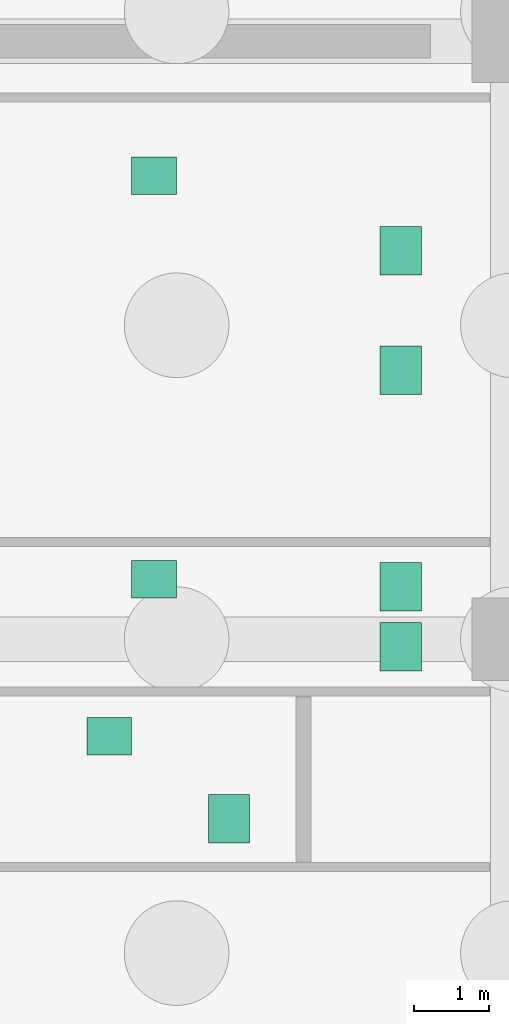
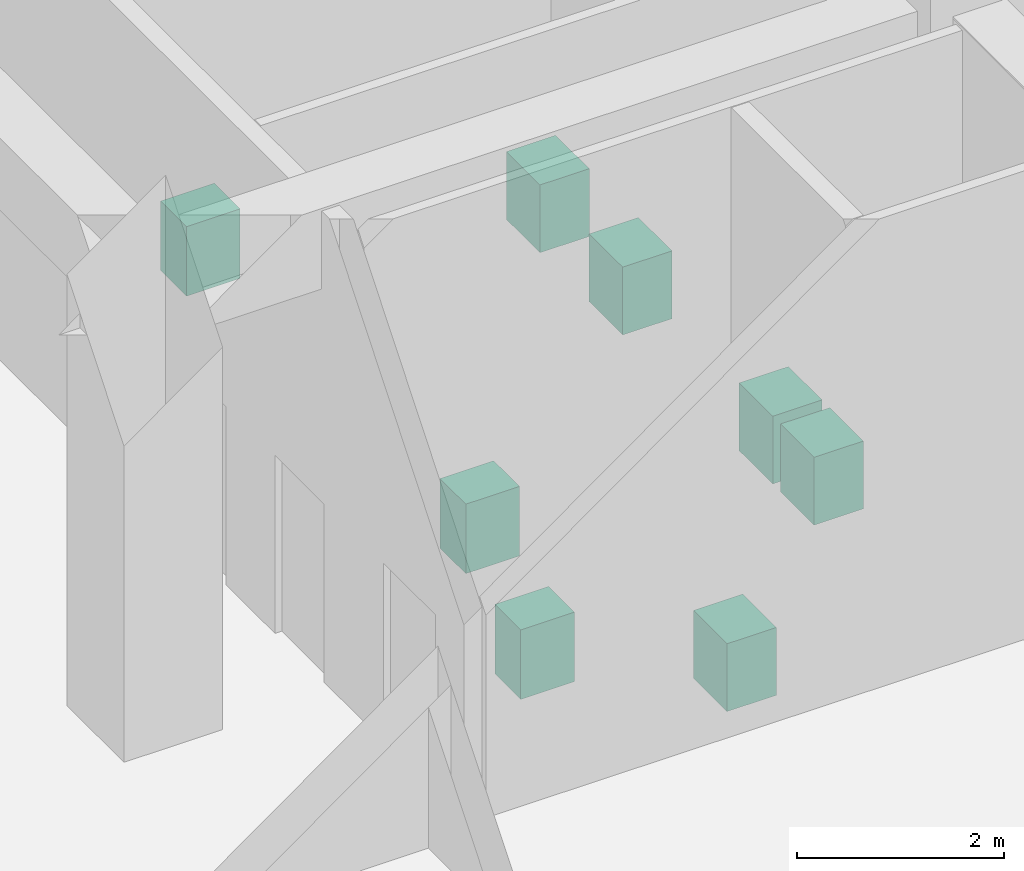
# One storey, part 17 of 18: 8 sanitary terminals.
"""IFC4 building model written with IfcOpenShell, lengths in metres."""

from ifc_helpers import new_model, si_unit, derived_unit, direction, frame, origin, origin_2d, place, context, subcontext, project, spatial, rectangle, extrude, material, type_object, element, save


model = new_model("IFC4")

# Units and contexts
model_context = context("Model", 3, precision=1e-05, world=origin(), true_north=direction((0.0, 1.0)))
body_context = subcontext(model_context, "Body", "Model", "MODEL_VIEW")
ifc_project = project(units=[si_unit("LENGTHUNIT", "METRE"), si_unit("AREAUNIT", "SQUARE_METRE"), si_unit("VOLUMEUNIT", "CUBIC_METRE"), si_unit("PLANEANGLEUNIT", "RADIAN"), si_unit("MASSUNIT", "GRAM", prefix="KILO"), derived_unit("THERMALTRANSMITTANCEUNIT", [(si_unit("MASSUNIT", "GRAM", prefix="KILO"), 1), (si_unit("TIMEUNIT", "SECOND"), -3), (si_unit("THERMODYNAMICTEMPERATUREUNIT", "KELVIN"), -1)])], contexts=[model_context])

# Site, building, storey
site_placement = place(None, origin())
site = spatial("IfcSite", under=ifc_project, at=site_placement, CompositionType="ELEMENT")
building_placement = place(site_placement, origin())
building = spatial("IfcBuilding", under=site, at=building_placement, Name="Zhenchuan Archway Interchange", CompositionType="ELEMENT")
storey_placement = place(building_placement, frame((0.0, 0.0, -12.0)))
storey = spatial("IfcBuildingStorey", under=building, at=storey_placement, Name="B2", CompositionType="ELEMENT", Elevation=-12.0)

# Sanitary terminals
ifc_material = material(Name="Vitreous China", Category="ceramic")
sanitary_terminal_type_1 = type_object("IfcSanitaryTerminalType", Name="SAN_WASHHANDBASIN", PredefinedType="WASHHANDBASIN", material=ifc_material)
for number, where, z_axis, x_axis, name in (
    (1, (165.60009765625, 54.699951171875, 0.0), (0.0, 0.0, 1.0), (1.0, 0.0, 0.0), "Sanitary fixture 02 (B2)"),
    (2, (166.199951171875, 56.800048828125, 0.0), (0.0, 0.0, 1.0), (1.0, 0.0, 0.0), "Sanitary fixture 05 (B2)"),
    (3, (166.199951171875, 62.199951171875, 0.0), (0.0, 0.0, 1.0), (1.0, 0.0, 0.0), "Sanitary fixture 08 (B2)"),
):
    element("IfcSanitaryTerminal", number, at=place(storey_placement, frame(where, z_axis=z_axis, x_axis=x_axis)), inside=storey, type_object=sanitary_terminal_type_1, Name=name, PredefinedType="WASHHANDBASIN", context=body_context, shape_type="SweptSolid", body=[
        extrude(rectangle(XDim=0.60009765625, YDim=0.5, at=origin_2d()), origin(), (0.0, 0.0, 1.0), 0.820068359375),
    ])
sanitary_terminal_type_2 = type_object("IfcSanitaryTerminalType", Name="SAN_WCSEAT", PredefinedType="WCSEAT", material=ifc_material)
for number, where, z_axis, x_axis, name in (
    (4, (167.199951171875, 53.60009765625, 0.0), (0.0, 0.0, 1.0), (1.0, 0.0, 0.0), "Sanitary fixture 01 (B2)"),
    (5, (169.5, 55.89990234375, 0.0), (0.0, 0.0, 1.0), (1.0, 0.0, 0.0), "Sanitary fixture 03 (B2)"),
    (6, (169.5, 56.699951171875, 0.0), (0.0, 0.0, 1.0), (1.0, 0.0, 0.0), "Sanitary fixture 04 (B2)"),
    (7, (169.5, 59.60009765625, 0.0), (0.0, 0.0, 1.0), (1.0, 0.0, 0.0), "Sanitary fixture 06 (B2)"),
    (8, (169.5, 61.199951171875, 0.0), (0.0, 0.0, 1.0), (1.0, 0.0, 0.0), "Sanitary fixture 07 (B2)"),
):
    element("IfcSanitaryTerminal", number, at=place(storey_placement, frame(where, z_axis=z_axis, x_axis=x_axis)), inside=storey, type_object=sanitary_terminal_type_2, Name=name, PredefinedType="WCSEAT", context=body_context, shape_type="SweptSolid", body=[
        extrude(rectangle(XDim=0.550048828125, YDim=0.64990234375, at=origin_2d()), origin(), (0.0, 0.0, 1.0), 0.800048828125),
    ])

save(model, "model.ifc")
